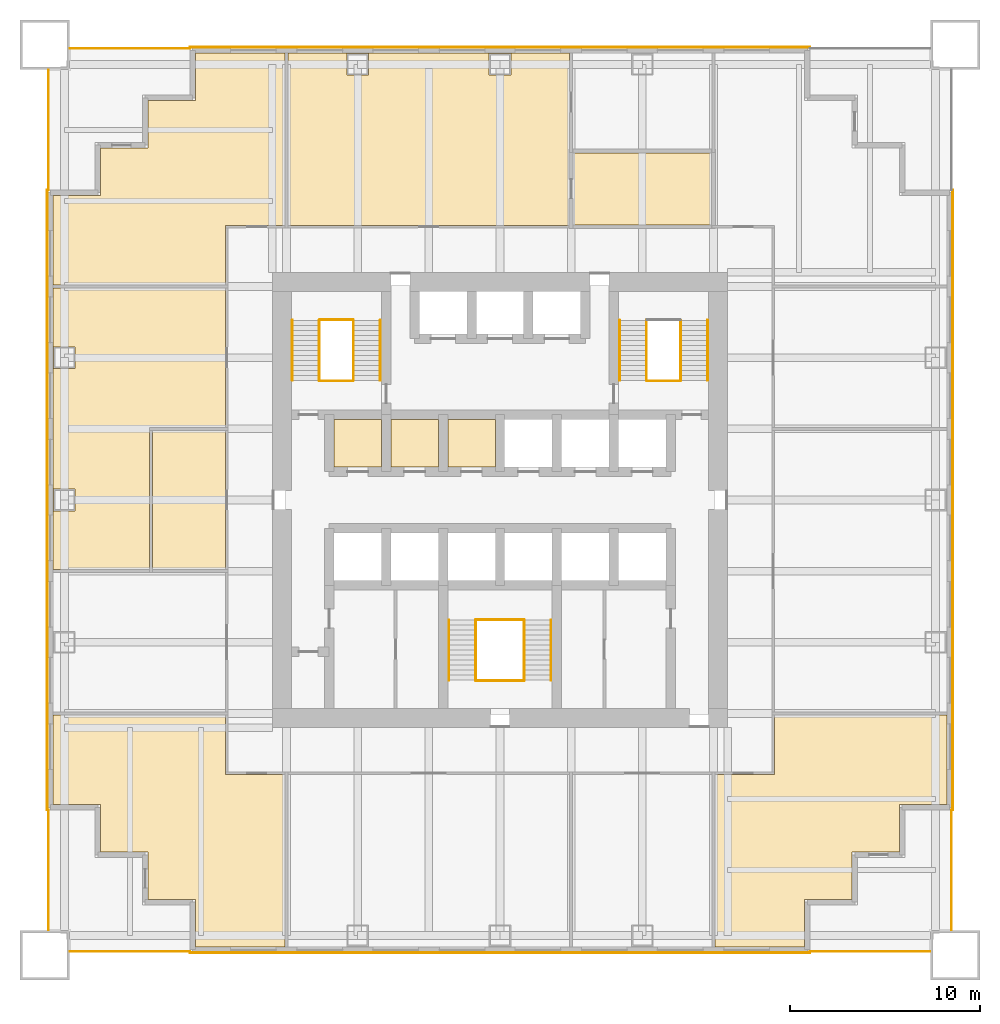
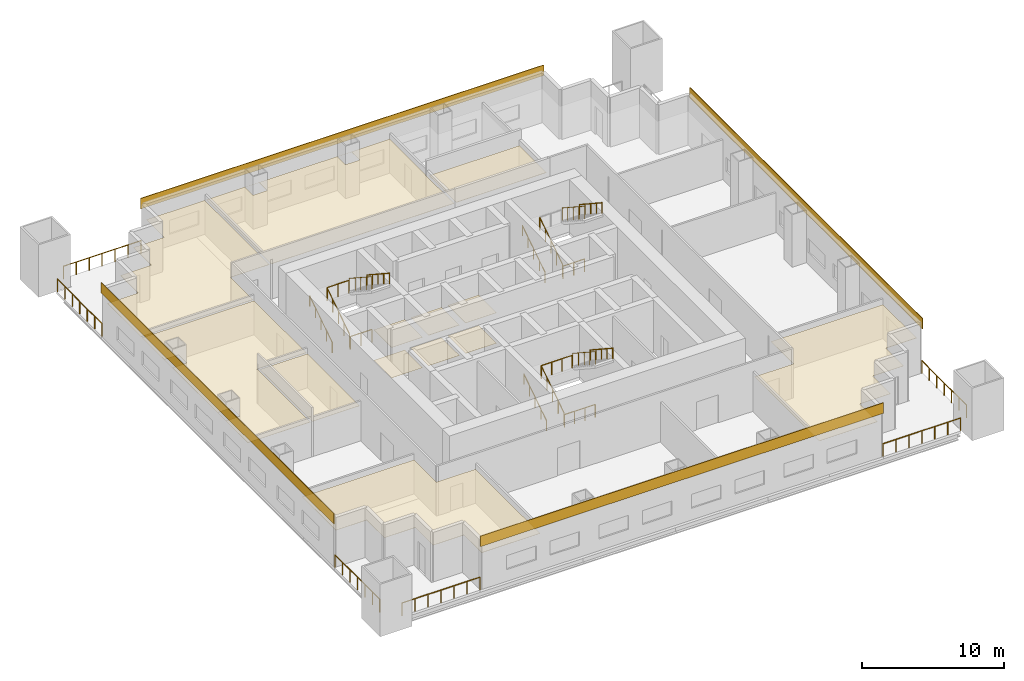
# One storey, part 6 of 7: 23 railings, 17 coverings.
"""IFC4 building model written with IfcOpenShell, lengths in metres."""

from ifc_helpers import new_model, si_unit, direction, frame, origin, origin_2d, place, context, subcontext, project, spatial, polyline, rectangle, circle, outline, extrude, material, layer, layer_set, type_object, element, save


model = new_model("IFC4")

# Units and contexts
model_context = context("Model", 3, precision=1e-05, world=origin(), true_north=direction((0.0, 1.0)))
body_context = subcontext(model_context, "Body", "Model", "MODEL_VIEW")
ifc_project = project(units=[si_unit("LENGTHUNIT", "METRE"), si_unit("AREAUNIT", "SQUARE_METRE"), si_unit("VOLUMEUNIT", "CUBIC_METRE"), si_unit("PLANEANGLEUNIT", "RADIAN"), si_unit("MASSUNIT", "GRAM", prefix="KILO")], contexts=[model_context])

# Site, building, storey
site_placement = place(None, origin())
site = spatial("IfcSite", under=ifc_project, at=site_placement, CompositionType="ELEMENT")
building_placement = place(site_placement, origin())
building = spatial("IfcBuilding", under=site, at=building_placement, Name="Tarangal Relay Tower", CompositionType="ELEMENT")
storey_placement = place(building_placement, frame((0.0, 0.0, 167.39990234375)))
storey = spatial("IfcBuildingStorey", under=building, at=storey_placement, Name="L34", CompositionType="ELEMENT", Elevation=167.39990234375)

# Coverings
ifc_material_1 = material(Name="Anti-static vinyl flooring", Category="plastic")
ifc_layer_1 = layer(ifc_material_1, 0.010009765625)
ifc_layer_set_1 = layer_set([ifc_layer_1], Name="Anti-static vinyl floor")
covering_type_1 = type_object("IfcCoveringType", Name="Anti-static vinyl floor", PredefinedType="FLOORING", material=ifc_layer_set_1)
covering_1_placement = place(storey_placement, origin())
element("IfcCovering", 1, at=covering_1_placement, inside=storey, type_object=covering_type_1, Name="Floor finish FL1 L34-D1", PredefinedType="FLOORING", context=body_context, shape_type="SweptSolid", body=[
    extrude(outline(polyline([(-8.75, 1.75), (-6.25, 1.75), (-6.25, 4.25), (-8.75, 4.25), (-8.75, 1.75)])), origin(), (0.0, 0.0, 1.0), 0.010009765625),
])
covering_2_placement = place(storey_placement, origin())
element("IfcCovering", 2, at=covering_2_placement, inside=storey, type_object=covering_type_1, Name="Floor finish FL1 L34-D2", PredefinedType="FLOORING", context=body_context, shape_type="SweptSolid", body=[
    extrude(outline(polyline([(-5.75, 1.75), (-3.25, 1.75), (-3.25, 4.25), (-5.75, 4.25), (-5.75, 1.75)])), origin(), (0.0, 0.0, 1.0), 0.010009765625),
])
covering_3_placement = place(storey_placement, origin())
element("IfcCovering", 3, at=covering_3_placement, inside=storey, type_object=covering_type_1, Name="Floor finish FL1 L34-D3", PredefinedType="FLOORING", context=body_context, shape_type="SweptSolid", body=[
    extrude(outline(polyline([(-2.75, 1.75), (-0.25, 1.75), (-0.25, 4.25), (-2.75, 4.25), (-2.75, 1.75)])), origin(), (0.0, 0.0, 1.0), 0.010009765625),
])
ifc_material_2 = material(Name="Black anodised aluminium cladding", Category="aluminium")
ifc_layer_2 = layer(ifc_material_2, 0.050048828125)
ifc_layer_set_2 = layer_set([ifc_layer_2], Name="Black metal spandrel band")
covering_type_2 = type_object("IfcCoveringType", Name="Black metal spandrel band", PredefinedType="CLADDING", material=ifc_layer_set_2)
for number, where, z_axis, x_axis, name in (
    (4, (0.0, 23.875, 3.750244140625), (0.0, 0.0, 1.0), (1.0, 0.0, 0.0), "Spandrel band SB1 N L34"),
    (5, (23.875, 0.0, 3.750244140625), (0.0, 0.0, 1.0), (0.0, -1.0, 0.0), "Spandrel band SB1 E L34"),
    (6, (0.0, -23.875, 3.750244140625), (0.0, 0.0, 1.0), (-1.0, 0.0, 0.0), "Spandrel band SB1 S L34"),
    (7, (-23.875, 0.0, 3.750244140625), (0.0, 0.0, 1.0), (0.0, 1.0, 0.0), "Spandrel band SB1 W L34"),
):
    element("IfcCovering", number, at=place(storey_placement, frame(where, z_axis=z_axis, x_axis=x_axis)), inside=storey, type_object=covering_type_2, Name=name, PredefinedType="CLADDING", context=body_context, shape_type="SweptSolid", body=[
        extrude(rectangle(XDim=32.699951171875, YDim=0.050048828125, at=origin_2d()), origin(), (0.0, 0.0, 1.0), 0.89990234375),
    ])

# Railings
ifc_material_3 = material(Name="Steel guard, black finish", Category="steel")
railing_type_1 = type_object("IfcRailingType", Name="Stair guard 1100", PredefinedType="GUARDRAIL", material=ifc_material_3)
railing_1_placement = place(storey_placement, frame((-9.530029296875, 6.300048828125, 0.173095703125)))
element("IfcRailing", 8, at=railing_1_placement, inside=storey, type_object=railing_type_1, Name="Stair ST-A guard GR1 L34 flight 1", PredefinedType="GUARDRAIL", context=body_context, shape_type="SweptSolid", body=[
    extrude(circle(Radius=0.02392578125, at=origin_2d()), frame((0.0, 0.0, 1.076171875), z_axis=(0.0, 0.83629911093, 0.548273469226), x_axis=(-1.0, 0.0, 0.0)), (0.0, 0.0, 1.0), 3.7880859375),
    extrude(circle(Radius=0.02099609375, at=origin_2d()), origin(), (0.0, 0.0, 1.0), 1.052001953125),
    extrude(circle(Radius=0.02099609375, at=origin_2d()), frame((0.0, 0.7919921875, 0.519287109375)), (0.0, 0.0, 1.0), 1.052001953125),
    extrude(circle(Radius=0.02099609375, at=origin_2d()), frame((0.0, 1.583984375, 1.03857421875)), (0.0, 0.0, 1.0), 1.052001953125),
    extrude(circle(Radius=0.02099609375, at=origin_2d()), frame((0.0, 2.3759765625, 1.5576171875)), (0.0, 0.0, 1.0), 1.052001953125),
    extrude(circle(Radius=0.02099609375, at=origin_2d()), frame((0.0, 3.16796875, 2.076904296875)), (0.0, 0.0, 1.0), 1.052001953125),
])
railing_2_placement = place(storey_placement, frame((-7.719970703125, 9.468017578125, 2.423095703125)))
element("IfcRailing", 9, at=railing_2_placement, inside=storey, type_object=railing_type_1, Name="Stair ST-A guard GR1 L34 flight 2", PredefinedType="GUARDRAIL", context=body_context, shape_type="SweptSolid", body=[
    extrude(circle(Radius=0.02392578125, at=origin_2d()), frame((0.0, 0.0, 1.076171875), z_axis=(0.0, -0.83629911093, 0.548273469226), x_axis=(1.0, 0.0, 0.0)), (0.0, 0.0, 1.0), 3.7880859375),
    extrude(circle(Radius=0.02099609375, at=origin_2d()), origin(), (0.0, 0.0, 1.0), 1.052001953125),
    extrude(circle(Radius=0.02099609375, at=origin_2d()), frame((0.0, -0.7919921875, 0.519287109375)), (0.0, 0.0, 1.0), 1.052001953125),
    extrude(circle(Radius=0.02099609375, at=origin_2d()), frame((0.0, -1.583984375, 1.03857421875)), (0.0, 0.0, 1.0), 1.052001953125),
    extrude(circle(Radius=0.02099609375, at=origin_2d()), frame((0.0, -2.3759765625, 1.5576171875)), (0.0, 0.0, 1.0), 1.052001953125),
    extrude(circle(Radius=0.02099609375, at=origin_2d()), frame((0.0, -3.16796875, 2.076904296875)), (0.0, 0.0, 1.0), 1.052001953125),
])
for number, where, name in (
    (10, (-9.5, 6.27001953125, 0.0), "Stair ST-A landing guard GR1 L34"),
    (11, (-9.5, 9.498046875, 2.25), "Stair ST-A landing guard GR1 L34"),
):
    element("IfcRailing", number, at=place(storey_placement, frame(where)), inside=storey, type_object=railing_type_1, Name=name, PredefinedType="GUARDRAIL", context=body_context, shape_type="SweptSolid", body=[
        extrude(circle(Radius=0.02392578125, at=origin_2d()), frame((0.0, 0.0, 1.076171875), z_axis=(1.0, 0.0, 0.0), x_axis=(0.0, 1.0, 0.0)), (0.0, 0.0, 1.0), 1.75),
        extrude(circle(Radius=0.02099609375, at=origin_2d()), origin(), (0.0, 0.0, 1.0), 1.052001953125),
        extrude(circle(Radius=0.02099609375, at=origin_2d()), frame((0.875, 0.0, 0.0)), (0.0, 0.0, 1.0), 1.052001953125),
        extrude(circle(Radius=0.02099609375, at=origin_2d()), frame((1.75, 0.0, 0.0)), (0.0, 0.0, 1.0), 1.052001953125),
    ])
railing_3_placement = place(storey_placement, frame((7.719970703125, 6.300048828125, 0.173095703125)))
element("IfcRailing", 12, at=railing_3_placement, inside=storey, type_object=railing_type_1, Name="Stair ST-B guard GR1 L34 flight 1", PredefinedType="GUARDRAIL", context=body_context, shape_type="SweptSolid", body=[
    extrude(circle(Radius=0.02392578125, at=origin_2d()), frame((0.0, 0.0, 1.076171875), z_axis=(0.0, 0.83629911093, 0.548273469226), x_axis=(-1.0, 0.0, 0.0)), (0.0, 0.0, 1.0), 3.7880859375),
    extrude(circle(Radius=0.02099609375, at=origin_2d()), origin(), (0.0, 0.0, 1.0), 1.052001953125),
    extrude(circle(Radius=0.02099609375, at=origin_2d()), frame((0.0, 0.7919921875, 0.519287109375)), (0.0, 0.0, 1.0), 1.052001953125),
    extrude(circle(Radius=0.02099609375, at=origin_2d()), frame((0.0, 1.583984375, 1.03857421875)), (0.0, 0.0, 1.0), 1.052001953125),
    extrude(circle(Radius=0.02099609375, at=origin_2d()), frame((0.0, 2.3759765625, 1.5576171875)), (0.0, 0.0, 1.0), 1.052001953125),
    extrude(circle(Radius=0.02099609375, at=origin_2d()), frame((0.0, 3.16796875, 2.076904296875)), (0.0, 0.0, 1.0), 1.052001953125),
])
railing_4_placement = place(storey_placement, frame((9.530029296875, 9.468017578125, 2.423095703125)))
element("IfcRailing", 13, at=railing_4_placement, inside=storey, type_object=railing_type_1, Name="Stair ST-B guard GR1 L34 flight 2", PredefinedType="GUARDRAIL", context=body_context, shape_type="SweptSolid", body=[
    extrude(circle(Radius=0.02392578125, at=origin_2d()), frame((0.0, 0.0, 1.076171875), z_axis=(0.0, -0.83629911093, 0.548273469226), x_axis=(1.0, 0.0, 0.0)), (0.0, 0.0, 1.0), 3.7880859375),
    extrude(circle(Radius=0.02099609375, at=origin_2d()), origin(), (0.0, 0.0, 1.0), 1.052001953125),
    extrude(circle(Radius=0.02099609375, at=origin_2d()), frame((0.0, -0.7919921875, 0.519287109375)), (0.0, 0.0, 1.0), 1.052001953125),
    extrude(circle(Radius=0.02099609375, at=origin_2d()), frame((0.0, -1.583984375, 1.03857421875)), (0.0, 0.0, 1.0), 1.052001953125),
    extrude(circle(Radius=0.02099609375, at=origin_2d()), frame((0.0, -2.3759765625, 1.5576171875)), (0.0, 0.0, 1.0), 1.052001953125),
    extrude(circle(Radius=0.02099609375, at=origin_2d()), frame((0.0, -3.16796875, 2.076904296875)), (0.0, 0.0, 1.0), 1.052001953125),
])
railing_5_placement = place(storey_placement, frame((7.75, 6.27001953125, 0.0)))
element("IfcRailing", 14, at=railing_5_placement, inside=storey, type_object=railing_type_1, Name="Stair ST-B landing guard GR1 L34", PredefinedType="GUARDRAIL", context=body_context, shape_type="SweptSolid", body=[
    extrude(circle(Radius=0.02392578125, at=origin_2d()), frame((0.0, 0.0, 1.076171875), z_axis=(1.0, 0.0, 0.0), x_axis=(0.0, 1.0, 0.0)), (0.0, 0.0, 1.0), 1.75),
    extrude(circle(Radius=0.02099609375, at=origin_2d()), origin(), (0.0, 0.0, 1.0), 1.052001953125),
    extrude(circle(Radius=0.02099609375, at=origin_2d()), frame((0.875, 0.0, 0.0)), (0.0, 0.0, 1.0), 1.052001953125),
    extrude(circle(Radius=0.02099609375, at=origin_2d()), frame((1.75, 0.0, 0.0)), (0.0, 0.0, 1.0), 1.052001953125),
])
railing_6_placement = place(storey_placement, frame((-1.280029296875, -9.5, 0.173095703125)))
element("IfcRailing", 15, at=railing_6_placement, inside=storey, type_object=railing_type_1, Name="Stair ST-C guard GR1 L34 flight 1", PredefinedType="GUARDRAIL", context=body_context, shape_type="SweptSolid", body=[
    extrude(circle(Radius=0.02392578125, at=origin_2d()), frame((0.0, 0.0, 1.076171875), z_axis=(0.0, 0.83629911093, 0.548273469226), x_axis=(-1.0, 0.0, 0.0)), (0.0, 0.0, 1.0), 3.7880859375),
    extrude(circle(Radius=0.02099609375, at=origin_2d()), origin(), (0.0, 0.0, 1.0), 1.052001953125),
    extrude(circle(Radius=0.02099609375, at=origin_2d()), frame((0.0, 0.7919921875, 0.519287109375)), (0.0, 0.0, 1.0), 1.052001953125),
    extrude(circle(Radius=0.02099609375, at=origin_2d()), frame((0.0, 1.583984375, 1.03857421875)), (0.0, 0.0, 1.0), 1.052001953125),
    extrude(circle(Radius=0.02099609375, at=origin_2d()), frame((0.0, 2.3759765625, 1.5576171875)), (0.0, 0.0, 1.0), 1.052001953125),
    extrude(circle(Radius=0.02099609375, at=origin_2d()), frame((0.0, 3.16796875, 2.076904296875)), (0.0, 0.0, 1.0), 1.052001953125),
])
railing_7_placement = place(storey_placement, frame((1.280029296875, -6.33203125, 2.423095703125)))
element("IfcRailing", 16, at=railing_7_placement, inside=storey, type_object=railing_type_1, Name="Stair ST-C guard GR1 L34 flight 2", PredefinedType="GUARDRAIL", context=body_context, shape_type="SweptSolid", body=[
    extrude(circle(Radius=0.02392578125, at=origin_2d()), frame((0.0, 0.0, 1.076171875), z_axis=(0.0, -0.83629911093, 0.548273469226), x_axis=(1.0, 0.0, 0.0)), (0.0, 0.0, 1.0), 3.7880859375),
    extrude(circle(Radius=0.02099609375, at=origin_2d()), origin(), (0.0, 0.0, 1.0), 1.052001953125),
    extrude(circle(Radius=0.02099609375, at=origin_2d()), frame((0.0, -0.7919921875, 0.519287109375)), (0.0, 0.0, 1.0), 1.052001953125),
    extrude(circle(Radius=0.02099609375, at=origin_2d()), frame((0.0, -1.583984375, 1.03857421875)), (0.0, 0.0, 1.0), 1.052001953125),
    extrude(circle(Radius=0.02099609375, at=origin_2d()), frame((0.0, -2.3759765625, 1.5576171875)), (0.0, 0.0, 1.0), 1.052001953125),
    extrude(circle(Radius=0.02099609375, at=origin_2d()), frame((0.0, -3.16796875, 2.076904296875)), (0.0, 0.0, 1.0), 1.052001953125),
])
for number, where, name in (
    (17, (-1.25, -9.530029296875, 0.0), "Stair ST-C landing guard GR1 L34"),
    (18, (-1.25, -6.302001953125, 2.25), "Stair ST-C landing guard GR1 L34"),
):
    element("IfcRailing", number, at=place(storey_placement, frame(where)), inside=storey, type_object=railing_type_1, Name=name, PredefinedType="GUARDRAIL", context=body_context, shape_type="SweptSolid", body=[
        extrude(circle(Radius=0.02392578125, at=origin_2d()), frame((0.0, 0.0, 1.076171875), z_axis=(1.0, 0.0, 0.0), x_axis=(0.0, 1.0, 0.0)), (0.0, 0.0, 1.0), 2.5),
        extrude(circle(Radius=0.02099609375, at=origin_2d()), origin(), (0.0, 0.0, 1.0), 1.052001953125),
        extrude(circle(Radius=0.02099609375, at=origin_2d()), frame((0.833251953125, 0.0, 0.0)), (0.0, 0.0, 1.0), 1.052001953125),
        extrude(circle(Radius=0.02099609375, at=origin_2d()), frame((1.666748046875, 0.0, 0.0)), (0.0, 0.0, 1.0), 1.052001953125),
        extrude(circle(Radius=0.02099609375, at=origin_2d()), frame((2.5, 0.0, 0.0)), (0.0, 0.0, 1.0), 1.052001953125),
    ])
ifc_material_4 = material(Name="Steel handrail, black finish", Category="steel")
railing_type_2 = type_object("IfcRailingType", Name="Stair handrail 900", PredefinedType="HANDRAIL", material=ifc_material_4)
railing_8_placement = place(storey_placement, frame((-10.93994140625, 6.300048828125, 0.173095703125)))
element("IfcRailing", 19, at=railing_8_placement, inside=storey, type_object=railing_type_2, Name="Stair ST-A handrail HR1 L34 flight 1", PredefinedType="HANDRAIL", context=body_context, shape_type="SweptSolid", body=[
    extrude(circle(Radius=0.02392578125, at=origin_2d()), frame((0.0, 0.0, 0.8759765625), z_axis=(0.0, 0.83629911093, 0.548273469226), x_axis=(-1.0, 0.0, 0.0)), (0.0, 0.0, 1.0), 3.7880859375),
    extrude(circle(Radius=0.02099609375, at=origin_2d()), origin(), (0.0, 0.0, 1.0), 0.851806640625),
    extrude(circle(Radius=0.02099609375, at=origin_2d()), frame((0.0, 0.7919921875, 0.519287109375)), (0.0, 0.0, 1.0), 0.851806640625),
    extrude(circle(Radius=0.02099609375, at=origin_2d()), frame((0.0, 1.583984375, 1.03857421875)), (0.0, 0.0, 1.0), 0.851806640625),
    extrude(circle(Radius=0.02099609375, at=origin_2d()), frame((0.0, 2.3759765625, 1.5576171875)), (0.0, 0.0, 1.0), 0.851806640625),
    extrude(circle(Radius=0.02099609375, at=origin_2d()), frame((0.0, 3.16796875, 2.076904296875)), (0.0, 0.0, 1.0), 0.851806640625),
])
railing_9_placement = place(storey_placement, frame((-6.31005859375, 9.468017578125, 2.423095703125)))
element("IfcRailing", 20, at=railing_9_placement, inside=storey, type_object=railing_type_2, Name="Stair ST-A handrail HR1 L34 flight 2", PredefinedType="HANDRAIL", context=body_context, shape_type="SweptSolid", body=[
    extrude(circle(Radius=0.02392578125, at=origin_2d()), frame((0.0, 0.0, 0.8759765625), z_axis=(0.0, -0.83629911093, 0.548273469226), x_axis=(1.0, 0.0, 0.0)), (0.0, 0.0, 1.0), 3.7880859375),
    extrude(circle(Radius=0.02099609375, at=origin_2d()), origin(), (0.0, 0.0, 1.0), 0.851806640625),
    extrude(circle(Radius=0.02099609375, at=origin_2d()), frame((0.0, -0.7919921875, 0.519287109375)), (0.0, 0.0, 1.0), 0.851806640625),
    extrude(circle(Radius=0.02099609375, at=origin_2d()), frame((0.0, -1.583984375, 1.03857421875)), (0.0, 0.0, 1.0), 0.851806640625),
    extrude(circle(Radius=0.02099609375, at=origin_2d()), frame((0.0, -2.3759765625, 1.5576171875)), (0.0, 0.0, 1.0), 0.851806640625),
    extrude(circle(Radius=0.02099609375, at=origin_2d()), frame((0.0, -3.16796875, 2.076904296875)), (0.0, 0.0, 1.0), 0.851806640625),
])
railing_10_placement = place(storey_placement, frame((6.31005859375, 6.300048828125, 0.173095703125)))
element("IfcRailing", 21, at=railing_10_placement, inside=storey, type_object=railing_type_2, Name="Stair ST-B handrail HR1 L34 flight 1", PredefinedType="HANDRAIL", context=body_context, shape_type="SweptSolid", body=[
    extrude(circle(Radius=0.02392578125, at=origin_2d()), frame((0.0, 0.0, 0.8759765625), z_axis=(0.0, 0.83629911093, 0.548273469226), x_axis=(-1.0, 0.0, 0.0)), (0.0, 0.0, 1.0), 3.7880859375),
    extrude(circle(Radius=0.02099609375, at=origin_2d()), origin(), (0.0, 0.0, 1.0), 0.851806640625),
    extrude(circle(Radius=0.02099609375, at=origin_2d()), frame((0.0, 0.7919921875, 0.519287109375)), (0.0, 0.0, 1.0), 0.851806640625),
    extrude(circle(Radius=0.02099609375, at=origin_2d()), frame((0.0, 1.583984375, 1.03857421875)), (0.0, 0.0, 1.0), 0.851806640625),
    extrude(circle(Radius=0.02099609375, at=origin_2d()), frame((0.0, 2.3759765625, 1.5576171875)), (0.0, 0.0, 1.0), 0.851806640625),
    extrude(circle(Radius=0.02099609375, at=origin_2d()), frame((0.0, 3.16796875, 2.076904296875)), (0.0, 0.0, 1.0), 0.851806640625),
])
railing_11_placement = place(storey_placement, frame((10.93994140625, 9.468017578125, 2.423095703125)))
element("IfcRailing", 22, at=railing_11_placement, inside=storey, type_object=railing_type_2, Name="Stair ST-B handrail HR1 L34 flight 2", PredefinedType="HANDRAIL", context=body_context, shape_type="SweptSolid", body=[
    extrude(circle(Radius=0.02392578125, at=origin_2d()), frame((0.0, 0.0, 0.8759765625), z_axis=(0.0, -0.83629911093, 0.548273469226), x_axis=(1.0, 0.0, 0.0)), (0.0, 0.0, 1.0), 3.7880859375),
    extrude(circle(Radius=0.02099609375, at=origin_2d()), origin(), (0.0, 0.0, 1.0), 0.851806640625),
    extrude(circle(Radius=0.02099609375, at=origin_2d()), frame((0.0, -0.7919921875, 0.519287109375)), (0.0, 0.0, 1.0), 0.851806640625),
    extrude(circle(Radius=0.02099609375, at=origin_2d()), frame((0.0, -1.583984375, 1.03857421875)), (0.0, 0.0, 1.0), 0.851806640625),
    extrude(circle(Radius=0.02099609375, at=origin_2d()), frame((0.0, -2.3759765625, 1.5576171875)), (0.0, 0.0, 1.0), 0.851806640625),
    extrude(circle(Radius=0.02099609375, at=origin_2d()), frame((0.0, -3.16796875, 2.076904296875)), (0.0, 0.0, 1.0), 0.851806640625),
])
railing_12_placement = place(storey_placement, frame((-2.68994140625, -9.5, 0.173095703125)))
element("IfcRailing", 23, at=railing_12_placement, inside=storey, type_object=railing_type_2, Name="Stair ST-C handrail HR1 L34 flight 1", PredefinedType="HANDRAIL", context=body_context, shape_type="SweptSolid", body=[
    extrude(circle(Radius=0.02392578125, at=origin_2d()), frame((0.0, 0.0, 0.8759765625), z_axis=(0.0, 0.83629911093, 0.548273469226), x_axis=(-1.0, 0.0, 0.0)), (0.0, 0.0, 1.0), 3.7880859375),
    extrude(circle(Radius=0.02099609375, at=origin_2d()), origin(), (0.0, 0.0, 1.0), 0.851806640625),
    extrude(circle(Radius=0.02099609375, at=origin_2d()), frame((0.0, 0.7919921875, 0.519287109375)), (0.0, 0.0, 1.0), 0.851806640625),
    extrude(circle(Radius=0.02099609375, at=origin_2d()), frame((0.0, 1.583984375, 1.03857421875)), (0.0, 0.0, 1.0), 0.851806640625),
    extrude(circle(Radius=0.02099609375, at=origin_2d()), frame((0.0, 2.3759765625, 1.5576171875)), (0.0, 0.0, 1.0), 0.851806640625),
    extrude(circle(Radius=0.02099609375, at=origin_2d()), frame((0.0, 3.16796875, 2.076904296875)), (0.0, 0.0, 1.0), 0.851806640625),
])
railing_13_placement = place(storey_placement, frame((2.68994140625, -6.33203125, 2.423095703125)))
element("IfcRailing", 24, at=railing_13_placement, inside=storey, type_object=railing_type_2, Name="Stair ST-C handrail HR1 L34 flight 2", PredefinedType="HANDRAIL", context=body_context, shape_type="SweptSolid", body=[
    extrude(circle(Radius=0.02392578125, at=origin_2d()), frame((0.0, 0.0, 0.8759765625), z_axis=(0.0, -0.83629911093, 0.548273469226), x_axis=(1.0, 0.0, 0.0)), (0.0, 0.0, 1.0), 3.7880859375),
    extrude(circle(Radius=0.02099609375, at=origin_2d()), origin(), (0.0, 0.0, 1.0), 0.851806640625),
    extrude(circle(Radius=0.02099609375, at=origin_2d()), frame((0.0, -0.7919921875, 0.519287109375)), (0.0, 0.0, 1.0), 0.851806640625),
    extrude(circle(Radius=0.02099609375, at=origin_2d()), frame((0.0, -1.583984375, 1.03857421875)), (0.0, 0.0, 1.0), 0.851806640625),
    extrude(circle(Radius=0.02099609375, at=origin_2d()), frame((0.0, -2.3759765625, 1.5576171875)), (0.0, 0.0, 1.0), 0.851806640625),
    extrude(circle(Radius=0.02099609375, at=origin_2d()), frame((0.0, -3.16796875, 2.076904296875)), (0.0, 0.0, 1.0), 0.851806640625),
])

# Coverings
ifc_material_5 = material(Name="Mineral fibre ceiling tiles", Category="gypsum")
ifc_layer_3 = layer(ifc_material_5, 0.02001953125)
ifc_layer_set_3 = layer_set([ifc_layer_3], Name="Suspended ceiling")
covering_type_3 = type_object("IfcCoveringType", Name="Suspended ceiling", PredefinedType="CEILING", material=ifc_layer_set_3)
covering_4_placement = place(storey_placement, frame((0.0, 0.0, 2.60009765625)))
element("IfcCovering", 25, at=covering_4_placement, inside=storey, type_object=covering_type_3, Name="Suspended ceiling CL1 L34-D1", PredefinedType="CEILING", context=body_context, shape_type="SweptSolid", body=[
    extrude(outline(polyline([(-8.75, 1.75), (-6.25, 1.75), (-6.25, 4.25), (-8.75, 4.25), (-8.75, 1.75)])), origin(), (0.0, 0.0, 1.0), 0.02001953125),
])
covering_5_placement = place(storey_placement, frame((0.0, 0.0, 2.60009765625)))
element("IfcCovering", 26, at=covering_5_placement, inside=storey, type_object=covering_type_3, Name="Suspended ceiling CL1 L34-D2", PredefinedType="CEILING", context=body_context, shape_type="SweptSolid", body=[
    extrude(outline(polyline([(-5.75, 1.75), (-3.25, 1.75), (-3.25, 4.25), (-5.75, 4.25), (-5.75, 1.75)])), origin(), (0.0, 0.0, 1.0), 0.02001953125),
])
covering_6_placement = place(storey_placement, frame((0.0, 0.0, 2.60009765625)))
element("IfcCovering", 27, at=covering_6_placement, inside=storey, type_object=covering_type_3, Name="Suspended ceiling CL1 L34-D3", PredefinedType="CEILING", context=body_context, shape_type="SweptSolid", body=[
    extrude(outline(polyline([(-2.75, 1.75), (-0.25, 1.75), (-0.25, 4.25), (-2.75, 4.25), (-2.75, 1.75)])), origin(), (0.0, 0.0, 1.0), 0.02001953125),
])
covering_7_placement = place(storey_placement, frame((0.0, 0.0, 2.900146484375)))
element("IfcCovering", 28, at=covering_7_placement, inside=storey, type_object=covering_type_3, Name="Suspended ceiling CL1 L34-02", PredefinedType="CEILING", context=body_context, shape_type="SweptSolid", body=[
    extrude(outline(polyline([(3.675048828125, 23.550048828125), (-11.175048828125, 23.550048828125), (-11.175048828125, 14.47509765625), (3.64990234375, 14.47509765625), (3.64990234375, 18.5), (3.675048828125, 18.5), (3.675048828125, 23.550048828125)]), holes=[polyline([(-6.925048828125, 22.389892578125), (-6.925048828125, 23.5400390625), (-8.074951171875, 23.5400390625), (-8.074951171875, 22.389892578125), (-6.925048828125, 22.389892578125)]), polyline([(0.574951171875, 22.389892578125), (0.574951171875, 23.5400390625), (-0.574951171875, 23.5400390625), (-0.574951171875, 22.389892578125), (0.574951171875, 22.389892578125)])]), origin(), (0.0, 0.0, 1.0), 0.02001953125),
])
covering_8_placement = place(storey_placement, frame((0.0, 0.0, 2.900146484375)))
element("IfcCovering", 29, at=covering_8_placement, inside=storey, type_object=covering_type_3, Name="Suspended ceiling CL1 L34-03", PredefinedType="CEILING", context=body_context, shape_type="SweptSolid", body=[
    extrude(outline(polyline([(3.85009765625, 14.5), (11.14990234375, 14.5), (11.14990234375, 18.300048828125), (3.85009765625, 18.300048828125), (3.85009765625, 14.5)])), origin(), (0.0, 0.0, 1.0), 0.02001953125),
])
covering_9_placement = place(storey_placement, frame((0.0, 0.0, 2.900146484375)))
element("IfcCovering", 30, at=covering_9_placement, inside=storey, type_object=covering_type_3, Name="Suspended ceiling CL1 L34-10", PredefinedType="CEILING", context=body_context, shape_type="SweptSolid", body=[
    extrude(outline(polyline([(-14.47509765625, -3.675048828125), (-14.47509765625, 3.675048828125), (-18.324951171875, 3.675048828125), (-18.324951171875, -3.675048828125), (-14.47509765625, -3.675048828125)])), origin(), (0.0, 0.0, 1.0), 0.02001953125),
])
covering_10_placement = place(storey_placement, frame((0.0, 0.0, 2.900146484375)))
element("IfcCovering", 31, at=covering_10_placement, inside=storey, type_object=covering_type_3, Name="Suspended ceiling CL1 L34-11", PredefinedType="CEILING", context=body_context, shape_type="SweptSolid", body=[
    extrude(outline(polyline([(-23.550048828125, 11.175048828125), (-23.550048828125, -3.675048828125), (-18.47509765625, -3.675048828125), (-18.47509765625, 3.824951171875), (-14.47509765625, 3.824951171875), (-14.47509765625, 11.175048828125), (-23.550048828125, 11.175048828125)]), holes=[polyline([(-22.389892578125, -0.574951171875), (-22.389892578125, 0.574951171875), (-23.5400390625, 0.574951171875), (-23.5400390625, -0.574951171875), (-22.389892578125, -0.574951171875)]), polyline([(-22.389892578125, 6.925048828125), (-22.389892578125, 8.074951171875), (-23.5400390625, 8.074951171875), (-23.5400390625, 6.925048828125), (-22.389892578125, 6.925048828125)])]), origin(), (0.0, 0.0, 1.0), 0.02001953125),
])
covering_11_placement = place(storey_placement, frame((0.0, 0.0, 2.900146484375)))
element("IfcCovering", 32, at=covering_11_placement, inside=storey, type_object=covering_type_3, Name="Suspended ceiling CL1 L34-13", PredefinedType="CEILING", context=body_context, shape_type="SweptSolid", body=[
    extrude(outline(polyline([(23.550048828125, -16.050048828125), (23.550048828125, -11.324951171875), (14.47509765625, -11.324951171875), (14.47509765625, -14.47509765625), (11.324951171875, -14.47509765625), (11.324951171875, -23.550048828125), (16.050048828125, -23.550048828125), (16.050048828125, -21.050048828125), (18.550048828125, -21.050048828125), (18.550048828125, -18.550048828125), (21.050048828125, -18.550048828125), (21.050048828125, -16.050048828125), (23.550048828125, -16.050048828125)])), origin(), (0.0, 0.0, 1.0), 0.02001953125),
])
covering_12_placement = place(storey_placement, frame((0.0, 0.0, 2.900146484375)))
element("IfcCovering", 33, at=covering_12_placement, inside=storey, type_object=covering_type_3, Name="Suspended ceiling CL1 L34-14", PredefinedType="CEILING", context=body_context, shape_type="SweptSolid", body=[
    extrude(outline(polyline([(-16.050048828125, -21.050048828125), (-16.050048828125, -23.550048828125), (-11.324951171875, -23.550048828125), (-11.324951171875, -14.47509765625), (-14.47509765625, -14.47509765625), (-14.47509765625, -11.324951171875), (-23.550048828125, -11.324951171875), (-23.550048828125, -16.050048828125), (-21.050048828125, -16.050048828125), (-21.050048828125, -18.550048828125), (-18.550048828125, -18.550048828125), (-18.550048828125, -21.050048828125), (-16.050048828125, -21.050048828125)])), origin(), (0.0, 0.0, 1.0), 0.02001953125),
])
covering_13_placement = place(storey_placement, frame((0.0, 0.0, 2.900146484375)))
element("IfcCovering", 34, at=covering_13_placement, inside=storey, type_object=covering_type_3, Name="Suspended ceiling CL1 L34-15", PredefinedType="CEILING", context=body_context, shape_type="SweptSolid", body=[
    extrude(outline(polyline([(-21.050048828125, 16.050048828125), (-23.550048828125, 16.050048828125), (-23.550048828125, 11.324951171875), (-14.47509765625, 11.324951171875), (-14.47509765625, 14.47509765625), (-11.324951171875, 14.47509765625), (-11.324951171875, 23.550048828125), (-16.050048828125, 23.550048828125), (-16.050048828125, 21.050048828125), (-18.550048828125, 21.050048828125), (-18.550048828125, 18.550048828125), (-21.050048828125, 18.550048828125), (-21.050048828125, 16.050048828125)])), origin(), (0.0, 0.0, 1.0), 0.02001953125),
])

# Railings
ifc_material_6 = material(Name="Black steel guard with glass infill", Category="steel")
railing_type_3 = type_object("IfcRailingType", Name="Terrace guard 1100", PredefinedType="GUARDRAIL", material=ifc_material_6)
railing_14_placement = place(storey_placement, frame((23.800048828125, -16.35009765625, 0.0)))
element("IfcRailing", 35, at=railing_14_placement, inside=storey, type_object=railing_type_3, Name="Terrace guard GR2 SE L34", PredefinedType="GUARDRAIL", context=body_context, shape_type="SweptSolid", body=[
    extrude(circle(Radius=0.02392578125, at=origin_2d()), frame((0.0, 0.0, 1.076171875), z_axis=(0.0, -1.0, 0.0), x_axis=(1.0, 0.0, 0.0)), (0.0, 0.0, 1.0), 6.2998046875),
    extrude(circle(Radius=0.02099609375, at=origin_2d()), origin(), (0.0, 0.0, 1.0), 1.052001953125),
    extrude(circle(Radius=0.02099609375, at=origin_2d()), frame((0.0, -1.050048828125, 0.0)), (0.0, 0.0, 1.0), 1.052001953125),
    extrude(circle(Radius=0.02099609375, at=origin_2d()), frame((0.0, -2.099853515625, 0.0)), (0.0, 0.0, 1.0), 1.052001953125),
    extrude(circle(Radius=0.02099609375, at=origin_2d()), frame((0.0, -3.14990234375, 0.0)), (0.0, 0.0, 1.0), 1.052001953125),
    extrude(circle(Radius=0.02099609375, at=origin_2d()), frame((0.0, -4.199951171875, 0.0)), (0.0, 0.0, 1.0), 1.052001953125),
    extrude(circle(Radius=0.02099609375, at=origin_2d()), frame((0.0, -5.249755859375, 0.0)), (0.0, 0.0, 1.0), 1.052001953125),
    extrude(circle(Radius=0.02099609375, at=origin_2d()), frame((0.0, -6.2998046875, 0.0)), (0.0, 0.0, 1.0), 1.052001953125),
])
for number, where, name in (
    (36, (22.64990234375, -23.800048828125, 0.0), "Terrace guard GR2 SE L34"),
    (37, (-16.35009765625, -23.800048828125, 0.0), "Terrace guard GR2 SW L34"),
):
    element("IfcRailing", number, at=place(storey_placement, frame(where)), inside=storey, type_object=railing_type_3, Name=name, PredefinedType="GUARDRAIL", context=body_context, shape_type="SweptSolid", body=[
        extrude(circle(Radius=0.02392578125, at=origin_2d()), frame((0.0, 0.0, 1.076171875), z_axis=(-1.0, 0.0, 0.0), x_axis=(0.0, -1.0, 0.0)), (0.0, 0.0, 1.0), 6.2998046875),
        extrude(circle(Radius=0.02099609375, at=origin_2d()), origin(), (0.0, 0.0, 1.0), 1.052001953125),
        extrude(circle(Radius=0.02099609375, at=origin_2d()), frame((-1.050048828125, 0.0, 0.0)), (0.0, 0.0, 1.0), 1.052001953125),
        extrude(circle(Radius=0.02099609375, at=origin_2d()), frame((-2.099853515625, 0.0, 0.0)), (0.0, 0.0, 1.0), 1.052001953125),
        extrude(circle(Radius=0.02099609375, at=origin_2d()), frame((-3.14990234375, 0.0, 0.0)), (0.0, 0.0, 1.0), 1.052001953125),
        extrude(circle(Radius=0.02099609375, at=origin_2d()), frame((-4.199951171875, 0.0, 0.0)), (0.0, 0.0, 1.0), 1.052001953125),
        extrude(circle(Radius=0.02099609375, at=origin_2d()), frame((-5.249755859375, 0.0, 0.0)), (0.0, 0.0, 1.0), 1.052001953125),
        extrude(circle(Radius=0.02099609375, at=origin_2d()), frame((-6.2998046875, 0.0, 0.0)), (0.0, 0.0, 1.0), 1.052001953125),
    ])
for number, where, name in (
    (38, (-23.800048828125, -22.64990234375, 0.0), "Terrace guard GR2 SW L34"),
    (39, (-23.800048828125, 16.35009765625, 0.0), "Terrace guard GR2 NW L34"),
):
    element("IfcRailing", number, at=place(storey_placement, frame(where)), inside=storey, type_object=railing_type_3, Name=name, PredefinedType="GUARDRAIL", context=body_context, shape_type="SweptSolid", body=[
        extrude(circle(Radius=0.02392578125, at=origin_2d()), frame((0.0, 0.0, 1.076171875), z_axis=(0.0, 1.0, 0.0), x_axis=(-1.0, 0.0, 0.0)), (0.0, 0.0, 1.0), 6.2998046875),
        extrude(circle(Radius=0.02099609375, at=origin_2d()), origin(), (0.0, 0.0, 1.0), 1.052001953125),
        extrude(circle(Radius=0.02099609375, at=origin_2d()), frame((0.0, 1.050048828125, 0.0)), (0.0, 0.0, 1.0), 1.052001953125),
        extrude(circle(Radius=0.02099609375, at=origin_2d()), frame((0.0, 2.099853515625, 0.0)), (0.0, 0.0, 1.0), 1.052001953125),
        extrude(circle(Radius=0.02099609375, at=origin_2d()), frame((0.0, 3.14990234375, 0.0)), (0.0, 0.0, 1.0), 1.052001953125),
        extrude(circle(Radius=0.02099609375, at=origin_2d()), frame((0.0, 4.199951171875, 0.0)), (0.0, 0.0, 1.0), 1.052001953125),
        extrude(circle(Radius=0.02099609375, at=origin_2d()), frame((0.0, 5.249755859375, 0.0)), (0.0, 0.0, 1.0), 1.052001953125),
        extrude(circle(Radius=0.02099609375, at=origin_2d()), frame((0.0, 6.2998046875, 0.0)), (0.0, 0.0, 1.0), 1.052001953125),
    ])
railing_15_placement = place(storey_placement, frame((-22.64990234375, 23.800048828125, 0.0)))
element("IfcRailing", 40, at=railing_15_placement, inside=storey, type_object=railing_type_3, Name="Terrace guard GR2 NW L34", PredefinedType="GUARDRAIL", context=body_context, shape_type="SweptSolid", body=[
    extrude(circle(Radius=0.02392578125, at=origin_2d()), frame((0.0, 0.0, 1.076171875), z_axis=(1.0, 0.0, 0.0), x_axis=(0.0, 1.0, 0.0)), (0.0, 0.0, 1.0), 6.2998046875),
    extrude(circle(Radius=0.02099609375, at=origin_2d()), origin(), (0.0, 0.0, 1.0), 1.052001953125),
    extrude(circle(Radius=0.02099609375, at=origin_2d()), frame((1.050048828125, 0.0, 0.0)), (0.0, 0.0, 1.0), 1.052001953125),
    extrude(circle(Radius=0.02099609375, at=origin_2d()), frame((2.099853515625, 0.0, 0.0)), (0.0, 0.0, 1.0), 1.052001953125),
    extrude(circle(Radius=0.02099609375, at=origin_2d()), frame((3.14990234375, 0.0, 0.0)), (0.0, 0.0, 1.0), 1.052001953125),
    extrude(circle(Radius=0.02099609375, at=origin_2d()), frame((4.199951171875, 0.0, 0.0)), (0.0, 0.0, 1.0), 1.052001953125),
    extrude(circle(Radius=0.02099609375, at=origin_2d()), frame((5.249755859375, 0.0, 0.0)), (0.0, 0.0, 1.0), 1.052001953125),
    extrude(circle(Radius=0.02099609375, at=origin_2d()), frame((6.2998046875, 0.0, 0.0)), (0.0, 0.0, 1.0), 1.052001953125),
])

save(model, "model.ifc")
